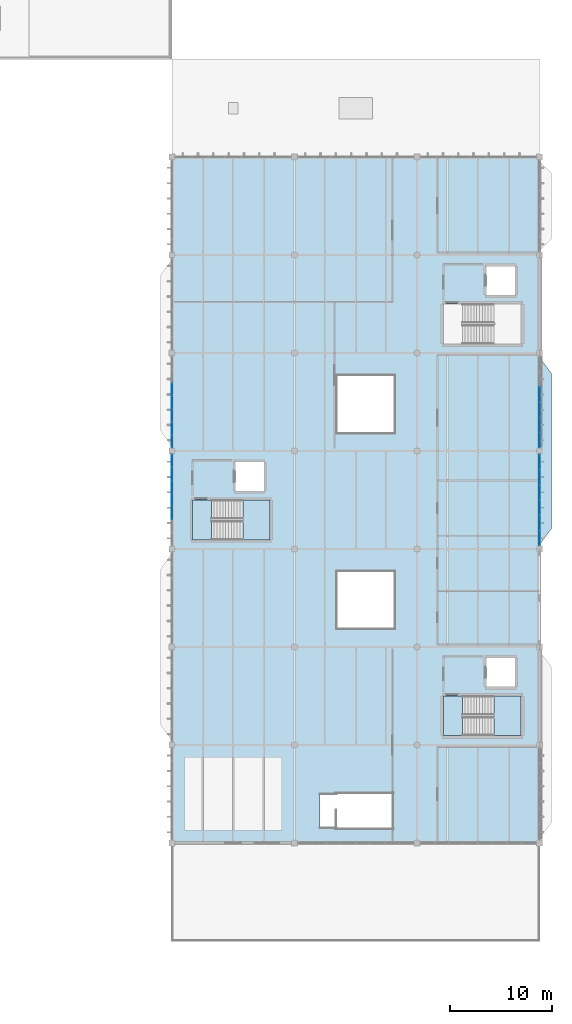
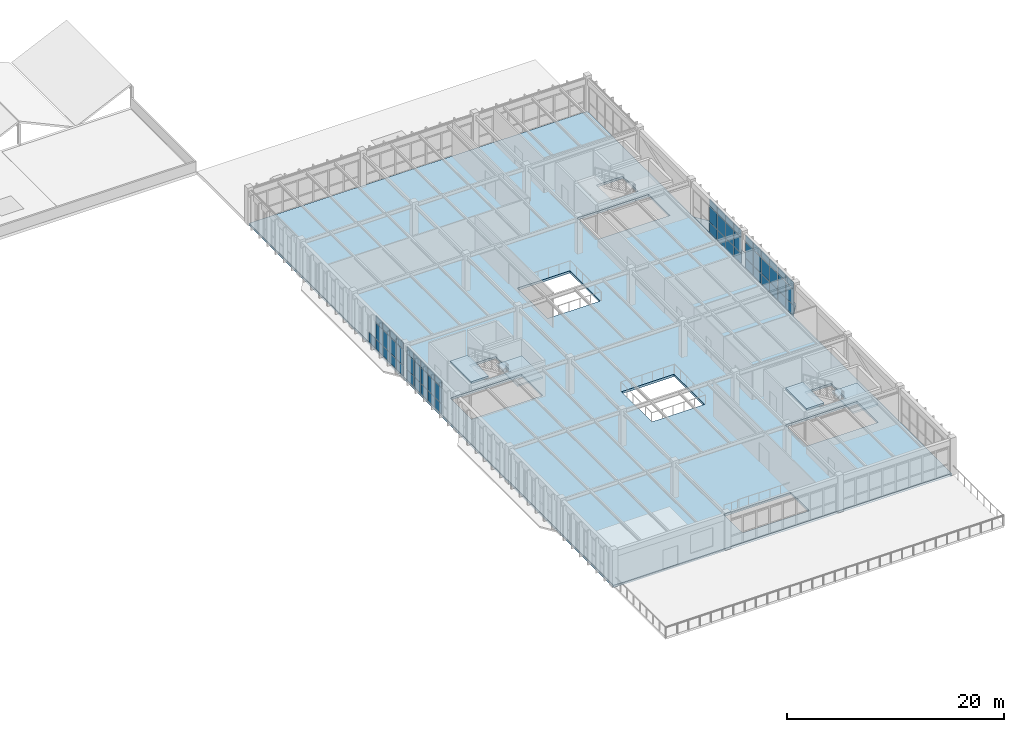
# One storey, part 65 of 83: 58 plates, 6 slabs, 6 elements without a shape of their own.
"""IFC4 building model written with IfcOpenShell, lengths in metres."""

from ifc_helpers import new_model, si_unit, direction, frame, origin, origin_2d, place, context, subcontext, project, spatial, polyline, rectangle, outline, extrude, material, layer, layer_set, type_object, element, aggregate, save


model = new_model("IFC4")

# Units and contexts
model_context = context("Model", 3, precision=1e-05, world=origin(), true_north=direction((0.0, 1.0)))
body_context = subcontext(model_context, "Body", "Model", "MODEL_VIEW")
ifc_project = project(units=[si_unit("LENGTHUNIT", "METRE"), si_unit("AREAUNIT", "SQUARE_METRE"), si_unit("VOLUMEUNIT", "CUBIC_METRE"), si_unit("PLANEANGLEUNIT", "RADIAN"), si_unit("MASSUNIT", "GRAM", prefix="KILO")], contexts=[model_context])

# Site, building, storey
site_placement = place(None, origin())
site = spatial("IfcSite", under=ifc_project, at=site_placement, CompositionType="ELEMENT")
building_placement = place(site_placement, origin())
building = spatial("IfcBuilding", under=site, at=building_placement, Name="Pandanus Reach Market Hall", CompositionType="ELEMENT")
storey_placement = place(building_placement, frame((0.0, 0.0, 10.199951171875)))
storey = spatial("IfcBuildingStorey", under=building, at=storey_placement, Name="L02", CompositionType="ELEMENT", Elevation=10.199951171875)

# Curtain wall, plates
ifc_material_1 = material(Name="Bronze anodised aluminium and low-E glass", Category="aluminium")
ifc_layer_1 = layer(ifc_material_1, 0.159912109375, Name="CW-32")
ifc_layer_set_1 = layer_set([ifc_layer_1], Name="Bronze anodised aluminium and low-E glass")
curtain_wall_type_1 = type_object("IfcCurtainWallType", Name="CW-32", PredefinedType="NOTDEFINED", material=ifc_layer_set_1)
curtain_wall_1_placement = place(storey_placement, origin())
curtain_wall_1 = element("IfcCurtainWall", 1, at=curtain_wall_1_placement, inside=storey, type_object=curtain_wall_type_1, Name="Glazed curtain wall CW-32 CW-0106", PredefinedType="NOTDEFINED")
ifc_material_2 = material(Name="Solar-control double glazing", Category="glass")
ifc_layer_2 = layer(ifc_material_2, 0.028076171875, Name="CW-P1")
ifc_layer_set_2 = layer_set([ifc_layer_2], Name="Solar-control double glazing")
plate_type = type_object("IfcPlateType", Name="CW-P1", PredefinedType="CURTAIN_PANEL", material=ifc_layer_set_2)
plate_1_placement = place(storey_placement, frame((180.0, 49.066162109375, 0.06494140625), z_axis=(0.0, 0.0, 1.0), x_axis=(0.0, 1.0, 0.0)))
plate_1 = element("IfcPlate", 2, at=plate_1_placement, type_object=plate_type, Name="CW-32 panel 1.1", PredefinedType="CURTAIN_PANEL", context=body_context, shape_type="SweptSolid", body=[
    extrude(rectangle(XDim=1.402587890625, YDim=0.028076171875, at=origin_2d()), origin(), (0.0, 0.0, 1.0), 1.1025390625),
])
plate_2_placement = place(storey_placement, frame((180.0, 49.066162109375, 1.232421875), z_axis=(0.0, 0.0, 1.0), x_axis=(0.0, 1.0, 0.0)))
plate_2 = element("IfcPlate", 3, at=plate_2_placement, type_object=plate_type, Name="CW-32 panel 1.2", PredefinedType="CURTAIN_PANEL", context=body_context, shape_type="SweptSolid", body=[
    extrude(rectangle(XDim=1.402587890625, YDim=0.028076171875, at=origin_2d()), origin(), (0.0, 0.0, 1.0), 1.735107421875),
])
plate_3_placement = place(storey_placement, frame((180.0, 49.066162109375, 3.03271484375), z_axis=(0.0, 0.0, 1.0), x_axis=(0.0, 1.0, 0.0)))
plate_3 = element("IfcPlate", 4, at=plate_3_placement, type_object=plate_type, Name="CW-32 panel 1.3", PredefinedType="CURTAIN_PANEL", context=body_context, shape_type="SweptSolid", body=[
    extrude(rectangle(XDim=1.402587890625, YDim=0.028076171875, at=origin_2d()), origin(), (0.0, 0.0, 1.0), 0.802490234375),
])
plate_4_placement = place(storey_placement, frame((180.0, 50.550048828125, 0.06494140625), z_axis=(0.0, 0.0, 1.0), x_axis=(0.0, 1.0, 0.0)))
plate_4 = element("IfcPlate", 5, at=plate_4_placement, type_object=plate_type, Name="CW-32 panel 2.1", PredefinedType="CURTAIN_PANEL", context=body_context, shape_type="SweptSolid", body=[
    extrude(rectangle(XDim=1.43505859375, YDim=0.028076171875, at=origin_2d()), origin(), (0.0, 0.0, 1.0), 1.1025390625),
])
plate_5_placement = place(storey_placement, frame((180.0, 50.550048828125, 1.232421875), z_axis=(0.0, 0.0, 1.0), x_axis=(0.0, 1.0, 0.0)))
plate_5 = element("IfcPlate", 6, at=plate_5_placement, type_object=plate_type, Name="CW-32 panel 2.2", PredefinedType="CURTAIN_PANEL", context=body_context, shape_type="SweptSolid", body=[
    extrude(rectangle(XDim=1.43505859375, YDim=0.028076171875, at=origin_2d()), origin(), (0.0, 0.0, 1.0), 1.735107421875),
])
plate_6_placement = place(storey_placement, frame((180.0, 50.550048828125, 3.03271484375), z_axis=(0.0, 0.0, 1.0), x_axis=(0.0, 1.0, 0.0)))
plate_6 = element("IfcPlate", 7, at=plate_6_placement, type_object=plate_type, Name="CW-32 panel 2.3", PredefinedType="CURTAIN_PANEL", context=body_context, shape_type="SweptSolid", body=[
    extrude(rectangle(XDim=1.43505859375, YDim=0.028076171875, at=origin_2d()), origin(), (0.0, 0.0, 1.0), 0.802490234375),
])
plate_7_placement = place(storey_placement, frame((180.0, 52.050048828125, 0.06494140625), z_axis=(0.0, 0.0, 1.0), x_axis=(0.0, 1.0, 0.0)))
plate_7 = element("IfcPlate", 8, at=plate_7_placement, type_object=plate_type, Name="CW-32 panel 3.1", PredefinedType="CURTAIN_PANEL", context=body_context, shape_type="SweptSolid", body=[
    extrude(rectangle(XDim=1.43505859375, YDim=0.028076171875, at=origin_2d()), origin(), (0.0, 0.0, 1.0), 1.1025390625),
])
plate_8_placement = place(storey_placement, frame((180.0, 52.050048828125, 1.232421875), z_axis=(0.0, 0.0, 1.0), x_axis=(0.0, 1.0, 0.0)))
plate_8 = element("IfcPlate", 9, at=plate_8_placement, type_object=plate_type, Name="CW-32 panel 3.2", PredefinedType="CURTAIN_PANEL", context=body_context, shape_type="SweptSolid", body=[
    extrude(rectangle(XDim=1.43505859375, YDim=0.028076171875, at=origin_2d()), origin(), (0.0, 0.0, 1.0), 1.735107421875),
])
plate_9_placement = place(storey_placement, frame((180.0, 52.050048828125, 3.03271484375), z_axis=(0.0, 0.0, 1.0), x_axis=(0.0, 1.0, 0.0)))
plate_9 = element("IfcPlate", 10, at=plate_9_placement, type_object=plate_type, Name="CW-32 panel 3.3", PredefinedType="CURTAIN_PANEL", context=body_context, shape_type="SweptSolid", body=[
    extrude(rectangle(XDim=1.43505859375, YDim=0.028076171875, at=origin_2d()), origin(), (0.0, 0.0, 1.0), 0.802490234375),
])
plate_10_placement = place(storey_placement, frame((180.0, 53.550048828125, 0.06494140625), z_axis=(0.0, 0.0, 1.0), x_axis=(0.0, 1.0, 0.0)))
plate_10 = element("IfcPlate", 11, at=plate_10_placement, type_object=plate_type, Name="CW-32 panel 4.1", PredefinedType="CURTAIN_PANEL", context=body_context, shape_type="SweptSolid", body=[
    extrude(rectangle(XDim=1.43505859375, YDim=0.028076171875, at=origin_2d()), origin(), (0.0, 0.0, 1.0), 1.1025390625),
])
plate_11_placement = place(storey_placement, frame((180.0, 53.550048828125, 1.232421875), z_axis=(0.0, 0.0, 1.0), x_axis=(0.0, 1.0, 0.0)))
plate_11 = element("IfcPlate", 12, at=plate_11_placement, type_object=plate_type, Name="CW-32 panel 4.2", PredefinedType="CURTAIN_PANEL", context=body_context, shape_type="SweptSolid", body=[
    extrude(rectangle(XDim=1.43505859375, YDim=0.028076171875, at=origin_2d()), origin(), (0.0, 0.0, 1.0), 1.735107421875),
])
plate_12_placement = place(storey_placement, frame((180.0, 53.550048828125, 3.03271484375), z_axis=(0.0, 0.0, 1.0), x_axis=(0.0, 1.0, 0.0)))
plate_12 = element("IfcPlate", 13, at=plate_12_placement, type_object=plate_type, Name="CW-32 panel 4.3", PredefinedType="CURTAIN_PANEL", context=body_context, shape_type="SweptSolid", body=[
    extrude(rectangle(XDim=1.43505859375, YDim=0.028076171875, at=origin_2d()), origin(), (0.0, 0.0, 1.0), 0.802490234375),
])
plate_13_placement = place(storey_placement, frame((180.0, 55.050048828125, 0.06494140625), z_axis=(0.0, 0.0, 1.0), x_axis=(0.0, 1.0, 0.0)))
plate_13 = element("IfcPlate", 14, at=plate_13_placement, type_object=plate_type, Name="CW-32 panel 5.1", PredefinedType="CURTAIN_PANEL", context=body_context, shape_type="SweptSolid", body=[
    extrude(rectangle(XDim=1.43505859375, YDim=0.028076171875, at=origin_2d()), origin(), (0.0, 0.0, 1.0), 1.1025390625),
])
plate_14_placement = place(storey_placement, frame((180.0, 55.050048828125, 1.232421875), z_axis=(0.0, 0.0, 1.0), x_axis=(0.0, 1.0, 0.0)))
plate_14 = element("IfcPlate", 15, at=plate_14_placement, type_object=plate_type, Name="CW-32 panel 5.2", PredefinedType="CURTAIN_PANEL", context=body_context, shape_type="SweptSolid", body=[
    extrude(rectangle(XDim=1.43505859375, YDim=0.028076171875, at=origin_2d()), origin(), (0.0, 0.0, 1.0), 1.735107421875),
])
plate_15_placement = place(storey_placement, frame((180.0, 55.050048828125, 3.03271484375), z_axis=(0.0, 0.0, 1.0), x_axis=(0.0, 1.0, 0.0)))
plate_15 = element("IfcPlate", 16, at=plate_15_placement, type_object=plate_type, Name="CW-32 panel 5.3", PredefinedType="CURTAIN_PANEL", context=body_context, shape_type="SweptSolid", body=[
    extrude(rectangle(XDim=1.43505859375, YDim=0.028076171875, at=origin_2d()), origin(), (0.0, 0.0, 1.0), 0.802490234375),
])
plate_16_placement = place(storey_placement, frame((180.0, 56.53369140625, 0.06494140625), z_axis=(0.0, 0.0, 1.0), x_axis=(0.0, 1.0, 0.0)))
plate_16 = element("IfcPlate", 17, at=plate_16_placement, type_object=plate_type, Name="CW-32 panel 6.1", PredefinedType="CURTAIN_PANEL", context=body_context, shape_type="SweptSolid", body=[
    extrude(rectangle(XDim=1.402587890625, YDim=0.028076171875, at=origin_2d()), origin(), (0.0, 0.0, 1.0), 1.1025390625),
])
plate_17_placement = place(storey_placement, frame((180.0, 56.53369140625, 1.232421875), z_axis=(0.0, 0.0, 1.0), x_axis=(0.0, 1.0, 0.0)))
plate_17 = element("IfcPlate", 18, at=plate_17_placement, type_object=plate_type, Name="CW-32 panel 6.2", PredefinedType="CURTAIN_PANEL", context=body_context, shape_type="SweptSolid", body=[
    extrude(rectangle(XDim=1.402587890625, YDim=0.028076171875, at=origin_2d()), origin(), (0.0, 0.0, 1.0), 1.735107421875),
])
plate_18_placement = place(storey_placement, frame((180.0, 56.53369140625, 3.03271484375), z_axis=(0.0, 0.0, 1.0), x_axis=(0.0, 1.0, 0.0)))
plate_18 = element("IfcPlate", 19, at=plate_18_placement, type_object=plate_type, Name="CW-32 panel 6.3", PredefinedType="CURTAIN_PANEL", context=body_context, shape_type="SweptSolid", body=[
    extrude(rectangle(XDim=1.402587890625, YDim=0.028076171875, at=origin_2d()), origin(), (0.0, 0.0, 1.0), 0.802490234375),
])
aggregate(curtain_wall_1, [plate_1, plate_2, plate_3, plate_4, plate_5, plate_6, plate_7, plate_8, plate_9, plate_10, plate_11, plate_12, plate_13, plate_14, plate_15, plate_16, plate_17, plate_18])

curtain_wall_2_placement = place(storey_placement, origin())
curtain_wall_2 = element("IfcCurtainWall", 20, at=curtain_wall_2_placement, inside=storey, type_object=curtain_wall_type_1, Name="Glazed curtain wall CW-32 CW-0107", PredefinedType="NOTDEFINED")
plate_19_placement = place(storey_placement, frame((180.0, 58.666259765625, 0.06494140625), z_axis=(0.0, 0.0, 1.0), x_axis=(0.0, 1.0, 0.0)))
plate_19 = element("IfcPlate", 21, at=plate_19_placement, type_object=plate_type, Name="CW-32 panel 1.1", PredefinedType="CURTAIN_PANEL", context=body_context, shape_type="SweptSolid", body=[
    extrude(rectangle(XDim=1.402587890625, YDim=0.028076171875, at=origin_2d()), origin(), (0.0, 0.0, 1.0), 1.1025390625),
])
plate_20_placement = place(storey_placement, frame((180.0, 58.666259765625, 1.232421875), z_axis=(0.0, 0.0, 1.0), x_axis=(0.0, 1.0, 0.0)))
plate_20 = element("IfcPlate", 22, at=plate_20_placement, type_object=plate_type, Name="CW-32 panel 1.2", PredefinedType="CURTAIN_PANEL", context=body_context, shape_type="SweptSolid", body=[
    extrude(rectangle(XDim=1.402587890625, YDim=0.028076171875, at=origin_2d()), origin(), (0.0, 0.0, 1.0), 1.735107421875),
])
plate_21_placement = place(storey_placement, frame((180.0, 58.666259765625, 3.03271484375), z_axis=(0.0, 0.0, 1.0), x_axis=(0.0, 1.0, 0.0)))
plate_21 = element("IfcPlate", 23, at=plate_21_placement, type_object=plate_type, Name="CW-32 panel 1.3", PredefinedType="CURTAIN_PANEL", context=body_context, shape_type="SweptSolid", body=[
    extrude(rectangle(XDim=1.402587890625, YDim=0.028076171875, at=origin_2d()), origin(), (0.0, 0.0, 1.0), 0.802490234375),
])
plate_22_placement = place(storey_placement, frame((180.0, 60.14990234375, 0.06494140625), z_axis=(0.0, 0.0, 1.0), x_axis=(0.0, 1.0, 0.0)))
plate_22 = element("IfcPlate", 24, at=plate_22_placement, type_object=plate_type, Name="CW-32 panel 2.1", PredefinedType="CURTAIN_PANEL", context=body_context, shape_type="SweptSolid", body=[
    extrude(rectangle(XDim=1.43505859375, YDim=0.028076171875, at=origin_2d()), origin(), (0.0, 0.0, 1.0), 1.1025390625),
])
plate_23_placement = place(storey_placement, frame((180.0, 60.14990234375, 1.232421875), z_axis=(0.0, 0.0, 1.0), x_axis=(0.0, 1.0, 0.0)))
plate_23 = element("IfcPlate", 25, at=plate_23_placement, type_object=plate_type, Name="CW-32 panel 2.2", PredefinedType="CURTAIN_PANEL", context=body_context, shape_type="SweptSolid", body=[
    extrude(rectangle(XDim=1.43505859375, YDim=0.028076171875, at=origin_2d()), origin(), (0.0, 0.0, 1.0), 1.735107421875),
])
plate_24_placement = place(storey_placement, frame((180.0, 60.14990234375, 3.03271484375), z_axis=(0.0, 0.0, 1.0), x_axis=(0.0, 1.0, 0.0)))
plate_24 = element("IfcPlate", 26, at=plate_24_placement, type_object=plate_type, Name="CW-32 panel 2.3", PredefinedType="CURTAIN_PANEL", context=body_context, shape_type="SweptSolid", body=[
    extrude(rectangle(XDim=1.43505859375, YDim=0.028076171875, at=origin_2d()), origin(), (0.0, 0.0, 1.0), 0.802490234375),
])
plate_25_placement = place(storey_placement, frame((180.0, 61.64990234375, 0.06494140625), z_axis=(0.0, 0.0, 1.0), x_axis=(0.0, 1.0, 0.0)))
plate_25 = element("IfcPlate", 27, at=plate_25_placement, type_object=plate_type, Name="CW-32 panel 3.1", PredefinedType="CURTAIN_PANEL", context=body_context, shape_type="SweptSolid", body=[
    extrude(rectangle(XDim=1.43505859375, YDim=0.028076171875, at=origin_2d()), origin(), (0.0, 0.0, 1.0), 1.1025390625),
])
plate_26_placement = place(storey_placement, frame((180.0, 61.64990234375, 1.232421875), z_axis=(0.0, 0.0, 1.0), x_axis=(0.0, 1.0, 0.0)))
plate_26 = element("IfcPlate", 28, at=plate_26_placement, type_object=plate_type, Name="CW-32 panel 3.2", PredefinedType="CURTAIN_PANEL", context=body_context, shape_type="SweptSolid", body=[
    extrude(rectangle(XDim=1.43505859375, YDim=0.028076171875, at=origin_2d()), origin(), (0.0, 0.0, 1.0), 1.735107421875),
])
plate_27_placement = place(storey_placement, frame((180.0, 61.64990234375, 3.03271484375), z_axis=(0.0, 0.0, 1.0), x_axis=(0.0, 1.0, 0.0)))
plate_27 = element("IfcPlate", 29, at=plate_27_placement, type_object=plate_type, Name="CW-32 panel 3.3", PredefinedType="CURTAIN_PANEL", context=body_context, shape_type="SweptSolid", body=[
    extrude(rectangle(XDim=1.43505859375, YDim=0.028076171875, at=origin_2d()), origin(), (0.0, 0.0, 1.0), 0.802490234375),
])
plate_28_placement = place(storey_placement, frame((180.0, 63.14990234375, 0.06494140625), z_axis=(0.0, 0.0, 1.0), x_axis=(0.0, 1.0, 0.0)))
plate_28 = element("IfcPlate", 30, at=plate_28_placement, type_object=plate_type, Name="CW-32 panel 4.1", PredefinedType="CURTAIN_PANEL", context=body_context, shape_type="SweptSolid", body=[
    extrude(rectangle(XDim=1.43505859375, YDim=0.028076171875, at=origin_2d()), origin(), (0.0, 0.0, 1.0), 1.1025390625),
])
plate_29_placement = place(storey_placement, frame((180.0, 63.14990234375, 1.232421875), z_axis=(0.0, 0.0, 1.0), x_axis=(0.0, 1.0, 0.0)))
plate_29 = element("IfcPlate", 31, at=plate_29_placement, type_object=plate_type, Name="CW-32 panel 4.2", PredefinedType="CURTAIN_PANEL", context=body_context, shape_type="SweptSolid", body=[
    extrude(rectangle(XDim=1.43505859375, YDim=0.028076171875, at=origin_2d()), origin(), (0.0, 0.0, 1.0), 1.735107421875),
])
plate_30_placement = place(storey_placement, frame((180.0, 63.14990234375, 3.03271484375), z_axis=(0.0, 0.0, 1.0), x_axis=(0.0, 1.0, 0.0)))
plate_30 = element("IfcPlate", 32, at=plate_30_placement, type_object=plate_type, Name="CW-32 panel 4.3", PredefinedType="CURTAIN_PANEL", context=body_context, shape_type="SweptSolid", body=[
    extrude(rectangle(XDim=1.43505859375, YDim=0.028076171875, at=origin_2d()), origin(), (0.0, 0.0, 1.0), 0.802490234375),
])
aggregate(curtain_wall_2, [plate_19, plate_20, plate_21, plate_22, plate_23, plate_24, plate_25, plate_26, plate_27, plate_28, plate_29, plate_30])

ifc_layer_3 = layer(ifc_material_1, 0.159912109375, Name="CW-33")
ifc_layer_set_3 = layer_set([ifc_layer_3], Name="Bronze anodised aluminium and low-E glass")
curtain_wall_type_2 = type_object("IfcCurtainWallType", Name="CW-33", PredefinedType="NOTDEFINED", material=ifc_layer_set_3)
curtain_wall_3_placement = place(storey_placement, origin())
curtain_wall_3 = element("IfcCurtainWall", 33, at=curtain_wall_3_placement, inside=storey, type_object=curtain_wall_type_2, Name="Glazed curtain wall CW-33 CW-0112", PredefinedType="NOTDEFINED")
plate_31_placement = place(storey_placement, frame((144.0, 51.514404296875, 0.06494140625), z_axis=(0.0, 0.0, 1.0), x_axis=(0.0, 1.0, 0.0)))
plate_31 = element("IfcPlate", 34, at=plate_31_placement, type_object=plate_type, Name="CW-33 panel 3.1", PredefinedType="CURTAIN_PANEL", context=body_context, shape_type="SweptSolid", body=[
    extrude(rectangle(XDim=1.220703125, YDim=0.028076171875, at=origin_2d()), origin(), (0.0, 0.0, 1.0), 1.1025390625),
])
plate_32_placement = place(storey_placement, frame((144.0, 51.514404296875, 1.232421875), z_axis=(0.0, 0.0, 1.0), x_axis=(0.0, 1.0, 0.0)))
plate_32 = element("IfcPlate", 35, at=plate_32_placement, type_object=plate_type, Name="CW-33 panel 3.2", PredefinedType="CURTAIN_PANEL", context=body_context, shape_type="SweptSolid", body=[
    extrude(rectangle(XDim=1.220703125, YDim=0.028076171875, at=origin_2d()), origin(), (0.0, 0.0, 1.0), 1.735107421875),
])
plate_33_placement = place(storey_placement, frame((144.0, 51.514404296875, 3.03271484375), z_axis=(0.0, 0.0, 1.0), x_axis=(0.0, 1.0, 0.0)))
plate_33 = element("IfcPlate", 36, at=plate_33_placement, type_object=plate_type, Name="CW-33 panel 3.3", PredefinedType="CURTAIN_PANEL", context=body_context, shape_type="SweptSolid", body=[
    extrude(rectangle(XDim=1.220703125, YDim=0.028076171875, at=origin_2d()), origin(), (0.0, 0.0, 1.0), 0.802490234375),
])
plate_34_placement = place(storey_placement, frame((144.0, 52.800048828125, 0.06494140625), z_axis=(0.0, 0.0, 1.0), x_axis=(0.0, 1.0, 0.0)))
plate_34 = element("IfcPlate", 37, at=plate_34_placement, type_object=plate_type, Name="CW-33 panel 4.1", PredefinedType="CURTAIN_PANEL", context=body_context, shape_type="SweptSolid", body=[
    extrude(rectangle(XDim=1.220703125, YDim=0.028076171875, at=origin_2d()), origin(), (0.0, 0.0, 1.0), 1.1025390625),
])
plate_35_placement = place(storey_placement, frame((144.0, 52.800048828125, 1.232421875), z_axis=(0.0, 0.0, 1.0), x_axis=(0.0, 1.0, 0.0)))
plate_35 = element("IfcPlate", 38, at=plate_35_placement, type_object=plate_type, Name="CW-33 panel 4.2", PredefinedType="CURTAIN_PANEL", context=body_context, shape_type="SweptSolid", body=[
    extrude(rectangle(XDim=1.220703125, YDim=0.028076171875, at=origin_2d()), origin(), (0.0, 0.0, 1.0), 1.735107421875),
])
plate_36_placement = place(storey_placement, frame((144.0, 52.800048828125, 3.03271484375), z_axis=(0.0, 0.0, 1.0), x_axis=(0.0, 1.0, 0.0)))
plate_36 = element("IfcPlate", 39, at=plate_36_placement, type_object=plate_type, Name="CW-33 panel 4.3", PredefinedType="CURTAIN_PANEL", context=body_context, shape_type="SweptSolid", body=[
    extrude(rectangle(XDim=1.220703125, YDim=0.028076171875, at=origin_2d()), origin(), (0.0, 0.0, 1.0), 0.802490234375),
])
plate_37_placement = place(storey_placement, frame((144.0, 54.085693359375, 0.06494140625), z_axis=(0.0, 0.0, 1.0), x_axis=(0.0, 1.0, 0.0)))
plate_37 = element("IfcPlate", 40, at=plate_37_placement, type_object=plate_type, Name="CW-33 panel 5.1", PredefinedType="CURTAIN_PANEL", context=body_context, shape_type="SweptSolid", body=[
    extrude(rectangle(XDim=1.220703125, YDim=0.028076171875, at=origin_2d()), origin(), (0.0, 0.0, 1.0), 1.1025390625),
])
plate_38_placement = place(storey_placement, frame((144.0, 54.085693359375, 1.232421875), z_axis=(0.0, 0.0, 1.0), x_axis=(0.0, 1.0, 0.0)))
plate_38 = element("IfcPlate", 41, at=plate_38_placement, type_object=plate_type, Name="CW-33 panel 5.2", PredefinedType="CURTAIN_PANEL", context=body_context, shape_type="SweptSolid", body=[
    extrude(rectangle(XDim=1.220703125, YDim=0.028076171875, at=origin_2d()), origin(), (0.0, 0.0, 1.0), 1.735107421875),
])
plate_39_placement = place(storey_placement, frame((144.0, 54.085693359375, 3.03271484375), z_axis=(0.0, 0.0, 1.0), x_axis=(0.0, 1.0, 0.0)))
plate_39 = element("IfcPlate", 42, at=plate_39_placement, type_object=plate_type, Name="CW-33 panel 5.3", PredefinedType="CURTAIN_PANEL", context=body_context, shape_type="SweptSolid", body=[
    extrude(rectangle(XDim=1.220703125, YDim=0.028076171875, at=origin_2d()), origin(), (0.0, 0.0, 1.0), 0.802490234375),
])
plate_40_placement = place(storey_placement, frame((144.0, 55.371337890625, 0.06494140625), z_axis=(0.0, 0.0, 1.0), x_axis=(0.0, 1.0, 0.0)))
plate_40 = element("IfcPlate", 43, at=plate_40_placement, type_object=plate_type, Name="CW-33 panel 6.1", PredefinedType="CURTAIN_PANEL", context=body_context, shape_type="SweptSolid", body=[
    extrude(rectangle(XDim=1.220703125, YDim=0.028076171875, at=origin_2d()), origin(), (0.0, 0.0, 1.0), 1.1025390625),
])
plate_41_placement = place(storey_placement, frame((144.0, 55.371337890625, 1.232421875), z_axis=(0.0, 0.0, 1.0), x_axis=(0.0, 1.0, 0.0)))
plate_41 = element("IfcPlate", 44, at=plate_41_placement, type_object=plate_type, Name="CW-33 panel 6.2", PredefinedType="CURTAIN_PANEL", context=body_context, shape_type="SweptSolid", body=[
    extrude(rectangle(XDim=1.220703125, YDim=0.028076171875, at=origin_2d()), origin(), (0.0, 0.0, 1.0), 1.735107421875),
])
plate_42_placement = place(storey_placement, frame((144.0, 55.371337890625, 3.03271484375), z_axis=(0.0, 0.0, 1.0), x_axis=(0.0, 1.0, 0.0)))
plate_42 = element("IfcPlate", 45, at=plate_42_placement, type_object=plate_type, Name="CW-33 panel 6.3", PredefinedType="CURTAIN_PANEL", context=body_context, shape_type="SweptSolid", body=[
    extrude(rectangle(XDim=1.220703125, YDim=0.028076171875, at=origin_2d()), origin(), (0.0, 0.0, 1.0), 0.802490234375),
])
plate_43_placement = place(storey_placement, frame((144.0, 56.640869140625, 0.06494140625), z_axis=(0.0, 0.0, 1.0), x_axis=(0.0, 1.0, 0.0)))
plate_43 = element("IfcPlate", 46, at=plate_43_placement, type_object=plate_type, Name="CW-33 panel 7.1", PredefinedType="CURTAIN_PANEL", context=body_context, shape_type="SweptSolid", body=[
    extrude(rectangle(XDim=1.188232421875, YDim=0.028076171875, at=origin_2d()), origin(), (0.0, 0.0, 1.0), 1.1025390625),
])
plate_44_placement = place(storey_placement, frame((144.0, 56.640869140625, 1.232421875), z_axis=(0.0, 0.0, 1.0), x_axis=(0.0, 1.0, 0.0)))
plate_44 = element("IfcPlate", 47, at=plate_44_placement, type_object=plate_type, Name="CW-33 panel 7.2", PredefinedType="CURTAIN_PANEL", context=body_context, shape_type="SweptSolid", body=[
    extrude(rectangle(XDim=1.188232421875, YDim=0.028076171875, at=origin_2d()), origin(), (0.0, 0.0, 1.0), 1.735107421875),
])
plate_45_placement = place(storey_placement, frame((144.0, 56.640869140625, 3.03271484375), z_axis=(0.0, 0.0, 1.0), x_axis=(0.0, 1.0, 0.0)))
plate_45 = element("IfcPlate", 48, at=plate_45_placement, type_object=plate_type, Name="CW-33 panel 7.3", PredefinedType="CURTAIN_PANEL", context=body_context, shape_type="SweptSolid", body=[
    extrude(rectangle(XDim=1.188232421875, YDim=0.028076171875, at=origin_2d()), origin(), (0.0, 0.0, 1.0), 0.802490234375),
])
aggregate(curtain_wall_3, [plate_31, plate_32, plate_33, plate_34, plate_35, plate_36, plate_37, plate_38, plate_39, plate_40, plate_41, plate_42, plate_43, plate_44, plate_45])

curtain_wall_4_placement = place(storey_placement, origin())
curtain_wall_4 = element("IfcCurtainWall", 49, at=curtain_wall_4_placement, inside=storey, type_object=curtain_wall_type_2, Name="Glazed curtain wall CW-33 CW-0113", PredefinedType="NOTDEFINED")
plate_46_placement = place(storey_placement, frame((144.0, 58.55908203125, 0.06494140625), z_axis=(0.0, 0.0, 1.0), x_axis=(0.0, 1.0, 0.0)))
plate_46 = element("IfcPlate", 50, at=plate_46_placement, type_object=plate_type, Name="CW-33 panel 1.1", PredefinedType="CURTAIN_PANEL", context=body_context, shape_type="SweptSolid", body=[
    extrude(rectangle(XDim=1.188232421875, YDim=0.028076171875, at=origin_2d()), origin(), (0.0, 0.0, 1.0), 1.1025390625),
])
plate_47_placement = place(storey_placement, frame((144.0, 58.55908203125, 1.232421875), z_axis=(0.0, 0.0, 1.0), x_axis=(0.0, 1.0, 0.0)))
plate_47 = element("IfcPlate", 51, at=plate_47_placement, type_object=plate_type, Name="CW-33 panel 1.2", PredefinedType="CURTAIN_PANEL", context=body_context, shape_type="SweptSolid", body=[
    extrude(rectangle(XDim=1.188232421875, YDim=0.028076171875, at=origin_2d()), origin(), (0.0, 0.0, 1.0), 1.735107421875),
])
plate_48_placement = place(storey_placement, frame((144.0, 58.55908203125, 3.03271484375), z_axis=(0.0, 0.0, 1.0), x_axis=(0.0, 1.0, 0.0)))
plate_48 = element("IfcPlate", 52, at=plate_48_placement, type_object=plate_type, Name="CW-33 panel 1.3", PredefinedType="CURTAIN_PANEL", context=body_context, shape_type="SweptSolid", body=[
    extrude(rectangle(XDim=1.188232421875, YDim=0.028076171875, at=origin_2d()), origin(), (0.0, 0.0, 1.0), 0.802490234375),
])
plate_49_placement = place(storey_placement, frame((144.0, 59.82861328125, 0.06494140625), z_axis=(0.0, 0.0, 1.0), x_axis=(0.0, 1.0, 0.0)))
plate_49 = element("IfcPlate", 53, at=plate_49_placement, type_object=plate_type, Name="CW-33 panel 2.1", PredefinedType="CURTAIN_PANEL", context=body_context, shape_type="SweptSolid", body=[
    extrude(rectangle(XDim=1.220703125, YDim=0.028076171875, at=origin_2d()), origin(), (0.0, 0.0, 1.0), 1.1025390625),
])
plate_50_placement = place(storey_placement, frame((144.0, 59.82861328125, 1.232421875), z_axis=(0.0, 0.0, 1.0), x_axis=(0.0, 1.0, 0.0)))
plate_50 = element("IfcPlate", 54, at=plate_50_placement, type_object=plate_type, Name="CW-33 panel 2.2", PredefinedType="CURTAIN_PANEL", context=body_context, shape_type="SweptSolid", body=[
    extrude(rectangle(XDim=1.220703125, YDim=0.028076171875, at=origin_2d()), origin(), (0.0, 0.0, 1.0), 1.735107421875),
])
plate_51_placement = place(storey_placement, frame((144.0, 59.82861328125, 3.03271484375), z_axis=(0.0, 0.0, 1.0), x_axis=(0.0, 1.0, 0.0)))
plate_51 = element("IfcPlate", 55, at=plate_51_placement, type_object=plate_type, Name="CW-33 panel 2.3", PredefinedType="CURTAIN_PANEL", context=body_context, shape_type="SweptSolid", body=[
    extrude(rectangle(XDim=1.220703125, YDim=0.028076171875, at=origin_2d()), origin(), (0.0, 0.0, 1.0), 0.802490234375),
])
plate_52_placement = place(storey_placement, frame((144.0, 61.1142578125, 0.06494140625), z_axis=(0.0, 0.0, 1.0), x_axis=(0.0, 1.0, 0.0)))
plate_52 = element("IfcPlate", 56, at=plate_52_placement, type_object=plate_type, Name="CW-33 panel 3.1", PredefinedType="CURTAIN_PANEL", context=body_context, shape_type="SweptSolid", body=[
    extrude(rectangle(XDim=1.220703125, YDim=0.028076171875, at=origin_2d()), origin(), (0.0, 0.0, 1.0), 1.1025390625),
])
plate_53_placement = place(storey_placement, frame((144.0, 61.1142578125, 1.232421875), z_axis=(0.0, 0.0, 1.0), x_axis=(0.0, 1.0, 0.0)))
plate_53 = element("IfcPlate", 57, at=plate_53_placement, type_object=plate_type, Name="CW-33 panel 3.2", PredefinedType="CURTAIN_PANEL", context=body_context, shape_type="SweptSolid", body=[
    extrude(rectangle(XDim=1.220703125, YDim=0.028076171875, at=origin_2d()), origin(), (0.0, 0.0, 1.0), 1.735107421875),
])
plate_54_placement = place(storey_placement, frame((144.0, 61.1142578125, 3.03271484375), z_axis=(0.0, 0.0, 1.0), x_axis=(0.0, 1.0, 0.0)))
plate_54 = element("IfcPlate", 58, at=plate_54_placement, type_object=plate_type, Name="CW-33 panel 3.3", PredefinedType="CURTAIN_PANEL", context=body_context, shape_type="SweptSolid", body=[
    extrude(rectangle(XDim=1.220703125, YDim=0.028076171875, at=origin_2d()), origin(), (0.0, 0.0, 1.0), 0.802490234375),
])
plate_55_placement = place(storey_placement, frame((144.0, 62.39990234375, 0.06494140625), z_axis=(0.0, 0.0, 1.0), x_axis=(0.0, 1.0, 0.0)))
plate_55 = element("IfcPlate", 59, at=plate_55_placement, type_object=plate_type, Name="CW-33 panel 4.1", PredefinedType="CURTAIN_PANEL", context=body_context, shape_type="SweptSolid", body=[
    extrude(rectangle(XDim=1.220703125, YDim=0.028076171875, at=origin_2d()), origin(), (0.0, 0.0, 1.0), 1.1025390625),
])
plate_56_placement = place(storey_placement, frame((144.0, 62.39990234375, 1.232421875), z_axis=(0.0, 0.0, 1.0), x_axis=(0.0, 1.0, 0.0)))
plate_56 = element("IfcPlate", 60, at=plate_56_placement, type_object=plate_type, Name="CW-33 panel 4.2", PredefinedType="CURTAIN_PANEL", context=body_context, shape_type="SweptSolid", body=[
    extrude(rectangle(XDim=1.220703125, YDim=0.028076171875, at=origin_2d()), origin(), (0.0, 0.0, 1.0), 1.735107421875),
])
plate_57_placement = place(storey_placement, frame((144.0, 62.39990234375, 3.03271484375), z_axis=(0.0, 0.0, 1.0), x_axis=(0.0, 1.0, 0.0)))
plate_57 = element("IfcPlate", 61, at=plate_57_placement, type_object=plate_type, Name="CW-33 panel 4.3", PredefinedType="CURTAIN_PANEL", context=body_context, shape_type="SweptSolid", body=[
    extrude(rectangle(XDim=1.220703125, YDim=0.028076171875, at=origin_2d()), origin(), (0.0, 0.0, 1.0), 0.802490234375),
])
plate_58_placement = place(storey_placement, frame((144.0, 63.685791015625, 0.06494140625), z_axis=(0.0, 0.0, 1.0), x_axis=(0.0, 1.0, 0.0)))
plate_58 = element("IfcPlate", 62, at=plate_58_placement, type_object=plate_type, Name="CW-33 panel 5.1", PredefinedType="CURTAIN_PANEL", context=body_context, shape_type="SweptSolid", body=[
    extrude(rectangle(XDim=1.220703125, YDim=0.028076171875, at=origin_2d()), origin(), (0.0, 0.0, 1.0), 1.1025390625),
])
aggregate(curtain_wall_4, [plate_46, plate_47, plate_48, plate_49, plate_50, plate_51, plate_52, plate_53, plate_54, plate_55, plate_56, plate_57, plate_58])

# Slabs
ifc_material_3 = material(Name="Concrete N50 (50 MPa)", Category="concrete")
ifc_layer_4 = layer(ifc_material_3, 0.179931640625, Name="RF-CNP-180")
ifc_layer_set_4 = layer_set([ifc_layer_4], Name="Concrete N50 (50 MPa)")
slab_type_1 = type_object("IfcSlabType", Name="RF-CNP-180", PredefinedType="ROOF", material=ifc_layer_set_4)
slab_1_placement = place(storey_placement, frame((0.0, 0.0, -0.179931640625)))
element("IfcSlab", 63, at=slab_1_placement, inside=storey, type_object=slab_type_1, Name="Sculpted concrete brise-soleil hood 12", PredefinedType="ROOF", context=body_context, shape_type="SweptSolid", body=[
    extrude(outline(polyline([(180.0, 48.39990234375), (180.0, 66.800048828125), (181.199951171875, 65.199951171875), (181.199951171875, 50.0), (180.0, 48.39990234375)])), origin(), (0.0, 0.0, 1.0), 0.179931640625),
])
ifc_material_4 = material(Name="Concrete N40 (40 MPa)", Category="concrete")
ifc_layer_5 = layer(ifc_material_4, 0.260009765625, Name="SL-L02-V4")
ifc_layer_set_5 = layer_set([ifc_layer_5], Name="Concrete N40 (40 MPa)")
slab_type_2 = type_object("IfcSlabType", Name="SL-L02-V4", PredefinedType="FLOOR", material=ifc_layer_set_5)
slab_2_placement = place(storey_placement, frame((0.0, 0.0, -0.260009765625)))
element("IfcSlab", 64, at=slab_2_placement, inside=storey, type_object=slab_type_2, Name="Floor slab SL-L02-V4", PredefinedType="FLOOR", context=body_context, shape_type="SweptSolid", body=[
    extrude(outline(polyline([(144.0, 19.199951171875), (180.0, 19.199951171875), (180.0, 86.39990234375), (144.0, 86.39990234375), (144.0, 19.199951171875)]), holes=[polyline([(170.60009765625, 29.699951171875), (178.219970703125, 29.699951171875), (178.219970703125, 33.60009765625), (170.60009765625, 33.60009765625), (170.60009765625, 29.699951171875)]), polyline([(174.800048828125, 34.5), (177.60009765625, 34.5), (177.60009765625, 37.300048828125), (174.800048828125, 37.300048828125), (174.800048828125, 34.5)]), polyline([(170.60009765625, 68.10009765625), (178.219970703125, 68.10009765625), (178.219970703125, 72.0), (170.60009765625, 72.0), (170.60009765625, 68.10009765625)]), polyline([(174.800048828125, 72.89990234375), (177.60009765625, 72.89990234375), (177.60009765625, 75.699951171875), (174.800048828125, 75.699951171875), (174.800048828125, 72.89990234375)]), polyline([(146.0, 48.89990234375), (153.6201171875, 48.89990234375), (153.6201171875, 52.800048828125), (146.0, 52.800048828125), (146.0, 48.89990234375)]), polyline([(150.199951171875, 53.699951171875), (153.0, 53.699951171875), (153.0, 56.5), (150.199951171875, 56.5), (150.199951171875, 53.699951171875)]), polyline([(158.5, 20.60009765625), (165.6201171875, 20.60009765625), (165.6201171875, 24.02001953125), (158.5, 24.02001953125), (158.5, 20.60009765625)]), polyline([(160.199951171875, 40.199951171875), (165.800048828125, 40.199951171875), (165.800048828125, 45.800048828125), (160.199951171875, 45.800048828125), (160.199951171875, 40.199951171875)]), polyline([(160.199951171875, 59.39990234375), (165.800048828125, 59.39990234375), (165.800048828125, 65.0), (160.199951171875, 65.0), (160.199951171875, 59.39990234375)])]), origin(), (0.0, 0.0, 1.0), 0.260009765625),
])

# Stair, slabs
stair_type = type_object("IfcStairType", Name="STR-04", PredefinedType="HALF_TURN_STAIR", material=ifc_material_4)
stair_1_placement = place(storey_placement, origin())
stair_1 = element("IfcStair", 65, at=stair_1_placement, inside=storey, type_object=stair_type, Name="Stair ST-01 L02", PredefinedType="HALF_TURN_STAIR")
ifc_layer_6 = layer(ifc_material_4, 0.199951171875, Name="SL-LND-200")
ifc_layer_set_6 = layer_set([ifc_layer_6], Name="Concrete N40 (40 MPa)")
slab_type_3 = type_object("IfcSlabType", Name="SL-LND-200", PredefinedType="LANDING", material=ifc_layer_set_6)
slab_3_placement = place(storey_placement, frame((0.0, 0.0, 1.900146484375)))
slab_3 = element("IfcSlab", 66, at=slab_3_placement, type_object=slab_type_3, Name="STR-04 landing 1", PredefinedType="LANDING", context=body_context, shape_type="SweptSolid", body=[
    extrude(outline(polyline([(175.530029296875, 29.699951171875), (178.219970703125, 29.699951171875), (178.219970703125, 33.60009765625), (175.530029296875, 33.60009765625), (175.530029296875, 29.699951171875)])), origin(), (0.0, 0.0, 1.0), 0.199951171875),
])
slab_4_placement = place(storey_placement, frame((0.0, 0.0, 4.0)))
slab_4 = element("IfcSlab", 67, at=slab_4_placement, type_object=slab_type_3, Name="STR-04 landing 2", PredefinedType="LANDING", context=body_context, shape_type="SweptSolid", body=[
    extrude(outline(polyline([(170.60009765625, 29.699951171875), (172.449951171875, 29.699951171875), (172.449951171875, 33.60009765625), (170.60009765625, 33.60009765625), (170.60009765625, 29.699951171875)])), origin(), (0.0, 0.0, 1.0), 0.199951171875),
])
aggregate(stair_1, [slab_3, slab_4])

stair_2_placement = place(storey_placement, origin())
stair_2 = element("IfcStair", 68, at=stair_2_placement, inside=storey, type_object=stair_type, Name="Stair ST-03 L02", PredefinedType="HALF_TURN_STAIR")
slab_5_placement = place(storey_placement, frame((0.0, 0.0, 1.900146484375)))
slab_5 = element("IfcSlab", 69, at=slab_5_placement, type_object=slab_type_3, Name="STR-04 landing 1", PredefinedType="LANDING", context=body_context, shape_type="SweptSolid", body=[
    extrude(outline(polyline([(150.929931640625, 48.89990234375), (153.6201171875, 48.89990234375), (153.6201171875, 52.800048828125), (150.929931640625, 52.800048828125), (150.929931640625, 48.89990234375)])), origin(), (0.0, 0.0, 1.0), 0.199951171875),
])
slab_6_placement = place(storey_placement, frame((0.0, 0.0, 4.0)))
slab_6 = element("IfcSlab", 70, at=slab_6_placement, type_object=slab_type_3, Name="STR-04 landing 2", PredefinedType="LANDING", context=body_context, shape_type="SweptSolid", body=[
    extrude(outline(polyline([(146.0, 48.89990234375), (147.85009765625, 48.89990234375), (147.85009765625, 52.800048828125), (146.0, 52.800048828125), (146.0, 48.89990234375)])), origin(), (0.0, 0.0, 1.0), 0.199951171875),
])
aggregate(stair_2, [slab_5, slab_6])

save(model, "model.ifc")
